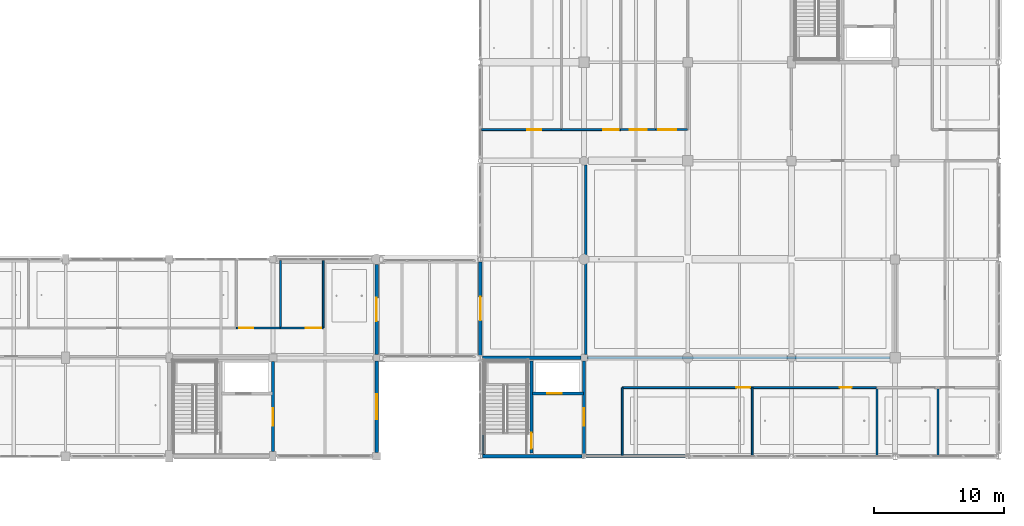
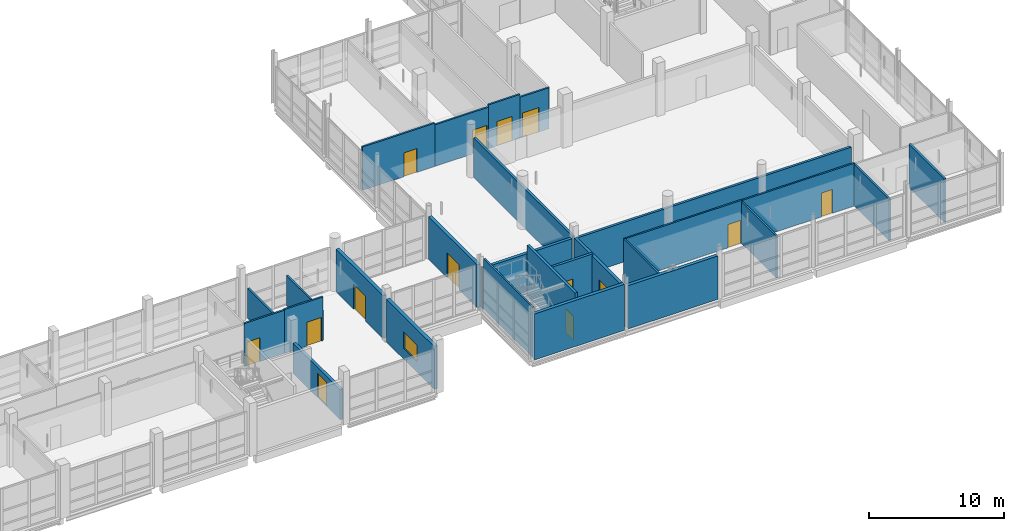
# One storey, part 94 of 141: 27 walls, 14 doors, 1 window, 15 openings.
"""IFC4 building model written with IfcOpenShell, lengths in metres."""

from ifc_helpers import new_model, si_unit, direction, frame, frame_2d, origin, place, context, subcontext, project, spatial, rectangle, extrude, material, layer, layer_set, type_object, element, fill, save


model = new_model("IFC4")

# Units and contexts
model_context = context("Model", 3, precision=1e-05, world=origin(), true_north=direction((0.0, 1.0)))
body_context = subcontext(model_context, "Body", "Model", "MODEL_VIEW")
ifc_project = project(units=[si_unit("LENGTHUNIT", "METRE"), si_unit("AREAUNIT", "SQUARE_METRE"), si_unit("VOLUMEUNIT", "CUBIC_METRE"), si_unit("PLANEANGLEUNIT", "RADIAN"), si_unit("MASSUNIT", "GRAM", prefix="KILO")], contexts=[model_context])

# Site, building, storey
site_placement = place(None, origin())
site = spatial("IfcSite", under=ifc_project, at=site_placement, CompositionType="ELEMENT")
building_placement = place(site_placement, origin())
building = spatial("IfcBuilding", under=site, at=building_placement, Name="Khelvaren Railside Concert Hall", CompositionType="ELEMENT")
storey_placement = place(building_placement, frame((0.0, 0.0, 10.199951171875)))
storey = spatial("IfcBuildingStorey", under=building, at=storey_placement, Name="L02", CompositionType="ELEMENT", Elevation=10.199951171875)

# Walls
ifc_material_1 = material(Name="Concrete C40/50", Category="concrete")
ifc_layer_1 = layer(ifc_material_1, 0.139892578125)
ifc_layer_set_1 = layer_set([ifc_layer_1], Name="Concrete C40/50")
wall_type_1 = type_object("IfcWallType", Name="CW17", PredefinedType="SOLIDWALL", material=ifc_layer_set_1)
wall_1_placement = place(storey_placement, frame((144.27490234375, 0.14990234375, 0.0), z_axis=(0.0, 0.0, 1.0), x_axis=(0.0, 1.0, 0.0)))
element("IfcWall", 1, at=wall_1_placement, inside=storey, type_object=wall_type_1, Name="Core Shaft Structural Liner Wall ST-03-L02", PredefinedType="SOLIDWALL", context=body_context, shape_type="SweptSolid", body=[
    extrude(rectangle(XDim=7.300048828125, YDim=0.139892578125, at=frame_2d((3.64990234375, 0.0))), origin(), (0.0, 0.0, 1.0), 4.52001953125),
])
ifc_layer_2 = layer(ifc_material_1, 0.25)
ifc_layer_set_2 = layer_set([ifc_layer_2], Name="Concrete C40/50")
wall_type_2 = type_object("IfcWallType", Name="CW82", PredefinedType="SOLIDWALL", material=ifc_layer_set_2)
wall_2_placement = place(storey_placement, frame((144.14990234375, 7.60009765625, 0.0), z_axis=(0.0, 0.0, 1.0), x_axis=(1.0, 0.0, 0.0)))
element("IfcWall", 2, at=wall_2_placement, inside=storey, type_object=wall_type_2, Name="Core Enclosure Wall CWALL-ST-03-L02-N", PredefinedType="SOLIDWALL", context=body_context, shape_type="SweptSolid", body=[
    extrude(rectangle(XDim=7.60009765625, YDim=0.25, at=frame_2d((3.800048828125, 0.0))), origin(), (0.0, 0.0, 1.0), 3.655029296875),
])

# Wall, opening, door
wall_3_placement = place(storey_placement, frame((152.0, 0.195068359375, 0.0), z_axis=(0.0, 0.0, 1.0), x_axis=(0.0, 1.0, 0.0)))
wall_3 = element("IfcWall", 3, at=wall_3_placement, inside=storey, type_object=wall_type_2, Name="Core Enclosure Wall CWALL-ST-03-L02-E", PredefinedType="SOLIDWALL", context=body_context, shape_type="SweptSolid", body=[
    extrude(rectangle(XDim=7.155029296875, YDim=0.25, at=frame_2d((3.57763671875, 0.0))), origin(), (0.0, 0.0, 1.0), 3.7451171875),
])
opening_1_placement = place(wall_3_placement, frame((2.155029296875, 0.0, 0.0)))
opening_1 = element("IfcOpeningElement", 4, at=opening_1_placement, cuts=wall_3, Name="Opening FDR34", PredefinedType="OPENING", context=body_context, shape_type="SweptSolid", body=[
    extrude(rectangle(XDim=1.35009765625, YDim=2.199951171875, at=frame_2d((0.675048828125, 1.10009765625))), frame((0.0, 0.135009765625, 0.0), z_axis=(0.0, -1.0, 0.0), x_axis=(1.0, 0.0, 0.0)), (0.0, 0.0, 1.0), 0.27001953125),
])
ifc_material_2 = material(Name="Acoustic fire-rated timber-core steel frame door", Category="steel")
door_type_1 = type_object("IfcDoorType", Name="FDR34", OperationType="NOTDEFINED", PredefinedType="DOOR", material=ifc_material_2)
door_1_placement = place(opening_1_placement, origin())
door_1 = element("IfcDoor", 5, at=door_1_placement, inside=storey, type_object=door_type_1, Name="Interior Door DR-ST-03-L02-LOB", OperationType="SINGLE_SWING_LEFT", OverallHeight=2.199951171875, OverallWidth=1.35009765625, PredefinedType="DOOR", context=body_context, shape_type="SweptSolid", body=[
    extrude(rectangle(XDim=1.35009765625, YDim=2.199951171875, at=frame_2d((0.675048828125, 1.10009765625))), frame((0.0, 0.02490234375, 0.0), z_axis=(0.0, -1.0, 0.0), x_axis=(1.0, 0.0, 0.0)), (0.0, 0.0, 1.0), 0.050048828125),
])
fill(opening_1, door_1)

wall_4_placement = place(storey_placement, frame((128.0, 0.375, 0.0), z_axis=(0.0, 0.0, 1.0), x_axis=(0.0, 1.0, 0.0)))
wall_4 = element("IfcWall", 6, at=wall_4_placement, inside=storey, type_object=wall_type_2, Name="Core Enclosure Wall CWALL-ST-06-L02-E", PredefinedType="SOLIDWALL", context=body_context, shape_type="SweptSolid", body=[
    extrude(rectangle(XDim=6.925048828125, YDim=0.25, at=frame_2d((3.46240234375, 0.0))), origin(), (0.0, 0.0, 1.0), 2.7099609375),
])
opening_2_placement = place(wall_4_placement, frame((1.97509765625, 0.0, 0.0)))
opening_2 = element("IfcOpeningElement", 7, at=opening_2_placement, cuts=wall_4, Name="Opening FDR34", PredefinedType="OPENING", context=body_context, shape_type="SweptSolid", body=[
    extrude(rectangle(XDim=1.35009765625, YDim=2.199951171875, at=frame_2d((0.675048828125, 1.10009765625))), frame((0.0, 0.135009765625, 0.0), z_axis=(0.0, -1.0, 0.0), x_axis=(1.0, 0.0, 0.0)), (0.0, 0.0, 1.0), 0.27001953125),
])
door_2_placement = place(opening_2_placement, origin())
door_2 = element("IfcDoor", 8, at=door_2_placement, inside=storey, type_object=door_type_1, Name="Interior Door DR-ST-06-L02-LOB", OperationType="SINGLE_SWING_LEFT", OverallHeight=2.199951171875, OverallWidth=1.35009765625, PredefinedType="DOOR", context=body_context, shape_type="SweptSolid", body=[
    extrude(rectangle(XDim=1.35009765625, YDim=2.199951171875, at=frame_2d((0.675048828125, 1.10009765625))), frame((0.0, 0.02490234375, 0.0), z_axis=(0.0, -1.0, 0.0), x_axis=(1.0, 0.0, 0.0)), (0.0, 0.0, 1.0), 0.050048828125),
])
fill(opening_2, door_2)

ifc_layer_3 = layer(ifc_material_1, 0.219970703125)
ifc_layer_set_3 = layer_set([ifc_layer_3], Name="Concrete C40/50")
wall_type_3 = type_object("IfcWallType", Name="CW97", PredefinedType="SOLIDWALL", material=ifc_layer_set_3)
wall_5_placement = place(storey_placement, frame((147.949951171875, 0.25, 0.0), z_axis=(0.0, 0.0, 1.0), x_axis=(0.0, 1.0, 0.0)))
wall_5 = element("IfcWall", 9, at=wall_5_placement, inside=storey, type_object=wall_type_3, Name="Core Enclosure Wall CWALL-ST-03-L02-MID", PredefinedType="SOLIDWALL", context=body_context, shape_type="SweptSolid", body=[
    extrude(rectangle(XDim=7.10009765625, YDim=0.219970703125, at=frame_2d((3.550048828125, 0.0))), origin(), (0.0, 0.0, 1.0), 4.52001953125),
])
opening_3_placement = place(wall_5_placement, frame((0.35009765625, 0.0, 0.0)))
opening_3 = element("IfcOpeningElement", 10, at=opening_3_placement, cuts=wall_5, Name="Opening FDR17", PredefinedType="OPENING", context=body_context, shape_type="SweptSolid", body=[
    extrude(rectangle(XDim=1.199951171875, YDim=2.14990234375, at=frame_2d((0.60009765625, 1.074951171875))), frame((0.0, 0.119873046875, 0.0), z_axis=(0.0, -1.0, 0.0), x_axis=(1.0, 0.0, 0.0)), (0.0, 0.0, 1.0), 0.239990234375),
])
door_type_2 = type_object("IfcDoorType", Name="FDR17", OperationType="NOTDEFINED", PredefinedType="DOOR", material=ifc_material_2)
door_3_placement = place(opening_3_placement, origin())
door_3 = element("IfcDoor", 11, at=door_3_placement, inside=storey, type_object=door_type_2, Name="Interior Door DR-ST-03-L02-ST", OperationType="SINGLE_SWING_RIGHT", OverallHeight=2.14990234375, OverallWidth=1.199951171875, PredefinedType="DOOR", context=body_context, shape_type="SweptSolid", body=[
    extrude(rectangle(XDim=1.199951171875, YDim=2.14990234375, at=frame_2d((0.60009765625, 1.074951171875))), frame((0.0, 0.02490234375, 0.0), z_axis=(0.0, -1.0, 0.0), x_axis=(1.0, 0.0, 0.0)), (0.0, 0.0, 1.0), 0.050048828125),
])
fill(opening_3, door_3)

wall_6_placement = place(storey_placement, frame((148.02001953125, 4.85009765625, 0.0), z_axis=(0.0, 0.0, 1.0), x_axis=(1.0, 0.0, 0.0)))
wall_6 = element("IfcWall", 12, at=wall_6_placement, inside=storey, type_object=wall_type_3, Name="Core Enclosure Wall CWALL-ST-03-L02-SHF", PredefinedType="SOLIDWALL", context=body_context, shape_type="SweptSolid", body=[
    extrude(rectangle(XDim=3.929931640625, YDim=0.219970703125, at=frame_2d((1.96484375, 0.0))), origin(), (0.0, 0.0, 1.0), 3.89501953125),
])
opening_4_placement = place(wall_6_placement, frame((1.14990234375, 0.0, 0.0)))
opening_4 = element("IfcOpeningElement", 13, at=opening_4_placement, cuts=wall_6, Name="Opening LD-PL-02", PredefinedType="OPENING", context=body_context, shape_type="SweptSolid", body=[
    extrude(rectangle(XDim=1.10009765625, YDim=2.199951171875, at=frame_2d((0.550048828125, 1.10009765625))), frame((0.0, 0.119873046875, 0.0), z_axis=(0.0, -1.0, 0.0), x_axis=(1.0, 0.0, 0.0)), (0.0, 0.0, 1.0), 0.239990234375),
])
ifc_material_3 = material(Name="Fire-rated brushed stainless steel landing door", Category="steel")
door_type_3 = type_object("IfcDoorType", Name="LD96", OperationType="DOUBLE_DOOR_SLIDING", PredefinedType="DOOR", material=ifc_material_3)
door_4_placement = place(opening_4_placement, origin())
door_4 = element("IfcDoor", 14, at=door_4_placement, inside=storey, type_object=door_type_3, Name="Lift Landing Door LD-PL-02-L02", OperationType="DOUBLE_DOOR_SLIDING", OverallHeight=2.199951171875, OverallWidth=1.10009765625, PredefinedType="DOOR", context=body_context, shape_type="SweptSolid", body=[
    extrude(rectangle(XDim=1.10009765625, YDim=2.199951171875, at=frame_2d((0.550048828125, 1.10009765625))), frame((0.0, 0.02490234375, 0.0), z_axis=(0.0, -1.0, 0.0), x_axis=(1.0, 0.0, 0.0)), (0.0, 0.0, 1.0), 0.050048828125),
])
fill(opening_4, door_4)

# Walls
ifc_material_4 = material(Name="Board-marked architectural concrete C40/50", Category="concrete")
ifc_layer_4 = layer(ifc_material_4, 0.280029296875)
ifc_layer_set_4 = layer_set([ifc_layer_4], Name="Board-marked architectural concrete C40/50")
wall_type_4 = type_object("IfcWallType", Name="EW17", PredefinedType="SOLIDWALL", material=ifc_layer_set_4)
wall_7_placement = place(storey_placement, frame((151.85009765625, 0.0, 0.0), z_axis=(0.0, 0.0, 1.0), x_axis=(-1.0, 0.0, 0.0)))
element("IfcWall", 15, at=wall_7_placement, inside=storey, type_object=wall_type_4, Name="V2 L02 Exterior Concrete Wall S-144", PredefinedType="SOLIDWALL", context=body_context, shape_type="SweptSolid", body=[
    extrude(rectangle(XDim=7.7001953125, YDim=0.280029296875, at=frame_2d((3.85009765625, 0.0))), origin(), (0.0, 0.0, 1.0), 4.150146484375),
])
wall_8_placement = place(storey_placement, frame((159.796875, 0.0, 0.0), z_axis=(0.0, 0.0, 1.0), x_axis=(-1.0, 0.0, 0.0)))
element("IfcWall", 16, at=wall_8_placement, inside=storey, type_object=wall_type_4, Name="V2 L02 Exterior Concrete Wall S-152", PredefinedType="SOLIDWALL", context=body_context, shape_type="SweptSolid", body=[
    extrude(rectangle(XDim=7.64697265625, YDim=0.280029296875, at=frame_2d((3.823486328125, 0.0))), origin(), (0.0, 0.0, 1.0), 3.91015625),
])

# Wall, opening, door
wall_9_placement = place(storey_placement, frame((144.0, 7.794921875, 0.0), z_axis=(0.0, 0.0, 1.0), x_axis=(0.0, 1.0, 0.0)))
wall_9 = element("IfcWall", 17, at=wall_9_placement, inside=storey, type_object=wall_type_4, Name="V2 L02 Bridge Portal Wall W", PredefinedType="SOLIDWALL", context=body_context, shape_type="SweptSolid", body=[
    extrude(rectangle(XDim=7.201904296875, YDim=0.280029296875, at=frame_2d((3.60107421875, 0.0))), origin(), (0.0, 0.0, 1.0), 3.860107421875),
])
opening_5_placement = place(wall_9_placement, frame((2.700927734375, 0.0, 0.0)))
opening_5 = element("IfcOpeningElement", 18, at=opening_5_placement, cuts=wall_9, Name="Opening DR64", PredefinedType="OPENING", context=body_context, shape_type="SweptSolid", body=[
    extrude(rectangle(XDim=1.800048828125, YDim=2.25, at=frame_2d((0.89990234375, 1.125))), frame((0.0, 0.14990234375, 0.0), z_axis=(0.0, -1.0, 0.0), x_axis=(1.0, 0.0, 0.0)), (0.0, 0.0, 1.0), 0.300048828125),
])
ifc_material_5 = material(Name="Glazed fire-rated steel frame door", Category="steel")
door_type_4 = type_object("IfcDoorType", Name="DR64", OperationType="DOUBLE_DOOR_SINGLE_SWING", PredefinedType="DOOR", material=ifc_material_5)
door_5_placement = place(opening_5_placement, origin())
door_5 = element("IfcDoor", 19, at=door_5_placement, inside=storey, type_object=door_type_4, Name="V2 L02 Link Bridge Portal Door", OperationType="DOUBLE_DOOR_SINGLE_SWING", OverallHeight=2.25, OverallWidth=1.800048828125, PredefinedType="DOOR", context=body_context, shape_type="SweptSolid", body=[
    extrude(rectangle(XDim=1.800048828125, YDim=2.25, at=frame_2d((0.89990234375, 1.125))), frame((0.0, 0.02490234375, 0.0), z_axis=(0.0, -1.0, 0.0), x_axis=(1.0, 0.0, 0.0)), (0.0, 0.0, 1.0), 0.050048828125),
])
fill(opening_5, door_5)

# Wall, opening, window
ifc_layer_5 = layer(ifc_material_4, 0.2900390625)
ifc_layer_set_5 = layer_set([ifc_layer_5], Name="Board-marked architectural concrete C40/50")
wall_type_5 = type_object("IfcWallType", Name="EW77", PredefinedType="SOLIDWALL", material=ifc_layer_set_5)
wall_10_placement = place(storey_placement, frame((136.0, 7.35009765625, 0.0), z_axis=(0.0, 0.0, 1.0), x_axis=(0.0, -1.0, 0.0)))
wall_10 = element("IfcWall", 20, at=wall_10_placement, inside=storey, type_object=wall_type_5, Name="V3 L02 Exterior Concrete Wall E-0", PredefinedType="SOLIDWALL", context=body_context, shape_type="SweptSolid", body=[
    extrude(rectangle(XDim=7.050048828125, YDim=0.2900390625, at=frame_2d((3.52490234375, 0.0))), origin(), (0.0, 0.0, 1.0), 3.860107421875),
])
opening_6_placement = place(wall_10_placement, frame((2.550048828125, 0.0, 0.949951171875)))
opening_6 = element("IfcOpeningElement", 21, at=opening_6_placement, cuts=wall_10, Name="Opening WN74", PredefinedType="OPENING", context=body_context, shape_type="SweptSolid", body=[
    extrude(rectangle(XDim=1.949951171875, YDim=1.5, at=frame_2d((0.97509765625, 0.75))), frame((0.0, 0.155029296875, 0.0), z_axis=(0.0, -1.0, 0.0), x_axis=(1.0, 0.0, 0.0)), (0.0, 0.0, 1.0), 0.31005859375),
])
ifc_material_6 = material(Name="Triple-glazed acoustic aluminium window", Category="aluminium")
window_type = type_object("IfcWindowType", Name="WN74", PartitioningType="DOUBLE_PANEL_VERTICAL", PredefinedType="WINDOW", material=ifc_material_6)
window_placement = place(opening_6_placement, origin())
window = element("IfcWindow", 22, at=window_placement, inside=storey, type_object=window_type, Name="Acoustic Facade Window EW-V3-L02-E-0", OverallHeight=1.5, OverallWidth=1.949951171875, PartitioningType="DOUBLE_PANEL_VERTICAL", PredefinedType="WINDOW", context=body_context, shape_type="SweptSolid", body=[
    extrude(rectangle(XDim=1.949951171875, YDim=1.5, at=frame_2d((0.97509765625, 0.75))), frame((0.0, 0.030029296875, 0.0), z_axis=(0.0, -1.0, 0.0), x_axis=(1.0, 0.0, 0.0)), (0.0, 0.0, 1.0), 0.06005859375),
])
fill(opening_6, window)

# Wall, opening, door
wall_11_placement = place(storey_placement, frame((136.0, 14.800048828125, 0.0), z_axis=(0.0, 0.0, 1.0), x_axis=(0.0, -1.0, 0.0)))
wall_11 = element("IfcWall", 23, at=wall_11_placement, inside=storey, type_object=wall_type_5, Name="V3 L02 Bridge Portal Wall E", PredefinedType="SOLIDWALL", context=body_context, shape_type="SweptSolid", body=[
    extrude(rectangle(XDim=6.949951171875, YDim=0.2900390625, at=frame_2d((3.47509765625, 0.0))), origin(), (0.0, 0.0, 1.0), 3.860107421875),
])
opening_7_placement = place(wall_11_placement, frame((2.574951171875, 0.0, 0.0)))
opening_7 = element("IfcOpeningElement", 24, at=opening_7_placement, cuts=wall_11, Name="Opening DR64", PredefinedType="OPENING", context=body_context, shape_type="SweptSolid", body=[
    extrude(rectangle(XDim=1.800048828125, YDim=2.25, at=frame_2d((0.89990234375, 1.125))), frame((0.0, 0.155029296875, 0.0), z_axis=(0.0, -1.0, 0.0), x_axis=(1.0, 0.0, 0.0)), (0.0, 0.0, 1.0), 0.31005859375),
])
door_6_placement = place(opening_7_placement, origin())
door_6 = element("IfcDoor", 25, at=door_6_placement, inside=storey, type_object=door_type_4, Name="V3 L02 Link Bridge Portal Door", OperationType="DOUBLE_DOOR_SINGLE_SWING", OverallHeight=2.25, OverallWidth=1.800048828125, PredefinedType="DOOR", context=body_context, shape_type="SweptSolid", body=[
    extrude(rectangle(XDim=1.800048828125, YDim=2.25, at=frame_2d((0.89990234375, 1.125))), frame((0.0, 0.02490234375, 0.0), z_axis=(0.0, -1.0, 0.0), x_axis=(1.0, 0.0, 0.0)), (0.0, 0.0, 1.0), 0.050048828125),
])
fill(opening_7, door_6)

# Walls
ifc_material_7 = material(Name="Acoustic double-stud gypsum partition", Category="gypsum")
ifc_layer_6 = layer(ifc_material_7, 0.199951171875)
ifc_layer_set_6 = layer_set([ifc_layer_6], Name="Acoustic double-stud gypsum partition")
wall_type_6 = type_object("IfcWallType", Name="PT35", PredefinedType="PARTITIONING", material=ifc_layer_set_6)
wall_12_placement = place(storey_placement, frame((152.1201171875, 7.85009765625, 0.0), z_axis=(0.0, 0.0, 1.0), x_axis=(0.0, 1.0, 0.0)))
element("IfcWall", 26, at=wall_12_placement, inside=storey, type_object=wall_type_6, Name="Acoustic Partition Wall PW-V2-L02-ORCH-W", PredefinedType="PARTITIONING", context=body_context, shape_type="SweptSolid", body=[
    extrude(rectangle(XDim=14.625, YDim=0.199951171875, at=frame_2d((7.3125, 0.0))), origin(), (0.0, 0.0, 1.0), 3.56005859375),
])
wall_13_placement = place(storey_placement, frame((152.25, 7.60009765625, 0.0), z_axis=(0.0, 0.0, 1.0), x_axis=(1.0, 0.0, 0.0)))
element("IfcWall", 27, at=wall_13_placement, inside=storey, type_object=wall_type_6, Name="Acoustic Partition Wall PW-V2-L02-ORCH-S", PredefinedType="PARTITIONING", context=body_context, shape_type="SweptSolid", body=[
    extrude(rectangle(XDim=23.35009765625, YDim=0.199951171875, at=frame_2d((11.675048828125, 0.0))), origin(), (0.0, 0.0, 1.0), 3.56005859375),
])
ifc_layer_7 = layer(ifc_material_7, 0.139892578125)
ifc_layer_set_7 = layer_set([ifc_layer_7], Name="Acoustic double-stud gypsum partition")
wall_type_7 = type_object("IfcWallType", Name="PT41", PredefinedType="PARTITIONING", material=ifc_layer_set_7)
wall_14_placement = place(storey_placement, frame((164.97412109375, 0.080078125, 0.0), z_axis=(0.0, 0.0, 1.0), x_axis=(0.0, 1.0, 0.0)))
element("IfcWall", 28, at=wall_14_placement, inside=storey, type_object=wall_type_7, Name="Acoustic Partition Wall PW-V2-L02-S-D01", PredefinedType="PARTITIONING", context=body_context, shape_type="SweptSolid", body=[
    extrude(rectangle(XDim=5.219970703125, YDim=0.139892578125, at=frame_2d((2.60986328125, 0.0))), origin(), (0.0, 0.0, 1.0), 3.77001953125),
])
ifc_layer_8 = layer(ifc_material_7, 0.179931640625)
ifc_layer_set_8 = layer_set([ifc_layer_8], Name="Acoustic double-stud gypsum partition")
wall_type_8 = type_object("IfcWallType", Name="PT53", PredefinedType="PARTITIONING", material=ifc_layer_set_8)
wall_15_placement = place(storey_placement, frame((179.30810546875, 0.080078125, 0.0), z_axis=(0.0, 0.0, 1.0), x_axis=(0.0, 1.0, 0.0)))
element("IfcWall", 29, at=wall_15_placement, inside=storey, type_object=wall_type_8, Name="Acoustic Partition Wall PW-V2-L02-S-D03", PredefinedType="PARTITIONING", context=body_context, shape_type="SweptSolid", body=[
    extrude(rectangle(XDim=5.219970703125, YDim=0.179931640625, at=frame_2d((2.60986328125, 0.0))), origin(), (0.0, 0.0, 1.0), 3.9150390625),
])

# Wall, opening, door
ifc_layer_9 = layer(ifc_material_7, 0.139892578125)
ifc_layer_set_9 = layer_set([ifc_layer_9], Name="Acoustic double-stud gypsum partition")
wall_type_9 = type_object("IfcWallType", Name="PT55", PredefinedType="PARTITIONING", material=ifc_layer_set_9)
wall_16_placement = place(storey_placement, frame((154.949951171875, 5.300048828125, 0.0), z_axis=(0.0, 0.0, 1.0), x_axis=(1.0, 0.0, 0.0)))
wall_16 = element("IfcWall", 30, at=wall_16_placement, inside=storey, type_object=wall_type_9, Name="Acoustic Partition Wall PW-V2-L02-S-C01", PredefinedType="PARTITIONING", context=body_context, shape_type="SweptSolid", body=[
    extrude(rectangle(XDim=10.024169921875, YDim=0.139892578125, at=frame_2d((5.01220703125, 0.0))), origin(), (0.0, 0.0, 1.0), 3.875),
])
opening_8_placement = place(wall_16_placement, frame((8.803955078125, 0.0, 0.0)))
opening_8 = element("IfcOpeningElement", 31, at=opening_8_placement, cuts=wall_16, Name="Opening IDR70", PredefinedType="OPENING", context=body_context, shape_type="SweptSolid", body=[
    extrude(rectangle(XDim=1.080078125, YDim=2.10009765625, at=frame_2d((0.5400390625, 1.050048828125))), frame((0.0, 0.079833984375, 0.0), z_axis=(0.0, -1.0, 0.0), x_axis=(1.0, 0.0, 0.0)), (0.0, 0.0, 1.0), 0.159912109375),
])
ifc_material_8 = material(Name="Solid oak acoustic studio door", Category="wood")
door_type_5 = type_object("IfcDoorType", Name="IDR70", OperationType="NOTDEFINED", PredefinedType="DOOR", material=ifc_material_8)
door_7_placement = place(opening_8_placement, origin())
door_7 = element("IfcDoor", 32, at=door_7_placement, inside=storey, type_object=door_type_5, Name="Interior Door DR-V2-L02-S-01", OperationType="SINGLE_SWING_LEFT", OverallHeight=2.10009765625, OverallWidth=1.080078125, PredefinedType="DOOR", context=body_context, shape_type="SweptSolid", body=[
    extrude(rectangle(XDim=1.080078125, YDim=2.10009765625, at=frame_2d((0.5400390625, 1.050048828125))), frame((0.0, 0.02490234375, 0.0), z_axis=(0.0, -1.0, 0.0), x_axis=(1.0, 0.0, 0.0)), (0.0, 0.0, 1.0), 0.050048828125),
])
fill(opening_8, door_7)

wall_17_placement = place(storey_placement, frame((164.97412109375, 5.300048828125, 0.0), z_axis=(0.0, 0.0, 1.0), x_axis=(1.0, 0.0, 0.0)))
wall_17 = element("IfcWall", 33, at=wall_17_placement, inside=storey, type_object=wall_type_9, Name="Acoustic Partition Wall PW-V2-L02-S-C02", PredefinedType="PARTITIONING", context=body_context, shape_type="SweptSolid", body=[
    extrude(rectangle(XDim=9.622802734375, YDim=0.139892578125, at=frame_2d((4.8115234375, 0.0))), origin(), (0.0, 0.0, 1.0), 3.85009765625),
])
opening_9_placement = place(wall_17_placement, frame((6.766357421875, 0.0, 0.0)))
opening_9 = element("IfcOpeningElement", 34, at=opening_9_placement, cuts=wall_17, Name="Opening IDR15", PredefinedType="OPENING", context=body_context, shape_type="SweptSolid", body=[
    extrude(rectangle(XDim=0.919921875, YDim=2.14990234375, at=frame_2d((0.4599609375, 1.074951171875))), frame((0.0, 0.079833984375, 0.0), z_axis=(0.0, -1.0, 0.0), x_axis=(1.0, 0.0, 0.0)), (0.0, 0.0, 1.0), 0.159912109375),
])
door_type_6 = type_object("IfcDoorType", Name="IDR15", OperationType="NOTDEFINED", PredefinedType="DOOR", material=ifc_material_8)
door_8_placement = place(opening_9_placement, origin())
door_8 = element("IfcDoor", 35, at=door_8_placement, inside=storey, type_object=door_type_6, Name="Interior Door DR-V2-L02-S-02", OperationType="SINGLE_SWING_RIGHT", OverallHeight=2.14990234375, OverallWidth=0.919921875, PredefinedType="DOOR", context=body_context, shape_type="SweptSolid", body=[
    extrude(rectangle(XDim=0.919921875, YDim=2.14990234375, at=frame_2d((0.4599609375, 1.074951171875))), frame((0.0, 0.02490234375, 0.0), z_axis=(0.0, -1.0, 0.0), x_axis=(1.0, 0.0, 0.0)), (0.0, 0.0, 1.0), 0.050048828125),
])
fill(opening_9, door_8)

# Wall
wall_18_placement = place(storey_placement, frame((154.949951171875, 0.080078125, 0.0), z_axis=(0.0, 0.0, 1.0), x_axis=(0.0, 1.0, 0.0)))
element("IfcWall", 36, at=wall_18_placement, inside=storey, type_object=wall_type_9, Name="Acoustic Partition Wall PW-V2-L02-S-W0", PredefinedType="PARTITIONING", context=body_context, shape_type="SweptSolid", body=[
    extrude(rectangle(XDim=5.219970703125, YDim=0.139892578125, at=frame_2d((2.60986328125, 0.0))), origin(), (0.0, 0.0, 1.0), 3.89013671875),
])

# Wall, opening, door
ifc_layer_10 = layer(ifc_material_7, 0.14990234375)
ifc_layer_set_10 = layer_set([ifc_layer_10], Name="Acoustic double-stud gypsum partition")
wall_type_10 = type_object("IfcWallType", Name="PT72", PredefinedType="PARTITIONING", material=ifc_layer_set_10)
wall_19_placement = place(storey_placement, frame((144.080078125, 25.199951171875, 0.0), z_axis=(0.0, 0.0, 1.0), x_axis=(1.0, 0.0, 0.0)))
wall_19 = element("IfcWall", 37, at=wall_19_placement, inside=storey, type_object=wall_type_10, Name="Acoustic Partition Wall PW-V2-L02-N-C01", PredefinedType="PARTITIONING", context=body_context, shape_type="SweptSolid", body=[
    extrude(rectangle(XDim=6.1689453125, YDim=0.14990234375, at=frame_2d((3.08447265625, 0.0))), origin(), (0.0, 0.0, 1.0), 3.905029296875),
])
opening_10_placement = place(wall_19_placement, frame((3.5302734375, 0.0, 0.0)))
opening_10 = element("IfcOpeningElement", 38, at=opening_10_placement, cuts=wall_19, Name="Opening IDR45", PredefinedType="OPENING", context=body_context, shape_type="SweptSolid", body=[
    extrude(rectangle(XDim=1.10009765625, YDim=2.14990234375, at=frame_2d((0.550048828125, 1.074951171875))), frame((0.0, 0.0849609375, 0.0), z_axis=(0.0, -1.0, 0.0), x_axis=(1.0, 0.0, 0.0)), (0.0, 0.0, 1.0), 0.169921875),
])
door_type_7 = type_object("IfcDoorType", Name="IDR45", OperationType="NOTDEFINED", PredefinedType="DOOR", material=ifc_material_8)
door_9_placement = place(opening_10_placement, origin())
door_9 = element("IfcDoor", 39, at=door_9_placement, inside=storey, type_object=door_type_7, Name="Interior Door DR-V2-L02-N-01", OperationType="SINGLE_SWING_LEFT", OverallHeight=2.14990234375, OverallWidth=1.10009765625, PredefinedType="DOOR", context=body_context, shape_type="SweptSolid", body=[
    extrude(rectangle(XDim=1.10009765625, YDim=2.14990234375, at=frame_2d((0.550048828125, 1.074951171875))), frame((0.0, 0.02490234375, 0.0), z_axis=(0.0, -1.0, 0.0), x_axis=(1.0, 0.0, 0.0)), (0.0, 0.0, 1.0), 0.050048828125),
])
fill(opening_10, door_9)

wall_20_placement = place(storey_placement, frame((150.2490234375, 25.199951171875, 0.0), z_axis=(0.0, 0.0, 1.0), x_axis=(1.0, 0.0, 0.0)))
wall_20 = element("IfcWall", 40, at=wall_20_placement, inside=storey, type_object=wall_type_10, Name="Acoustic Partition Wall PW-V2-L02-N-C02", PredefinedType="PARTITIONING", context=body_context, shape_type="SweptSolid", body=[
    extrude(rectangle(XDim=4.576904296875, YDim=0.14990234375, at=frame_2d((2.28857421875, 0.0))), origin(), (0.0, 0.0, 1.0), 3.7451171875),
])
opening_11_placement = place(wall_20_placement, frame((3.217041015625, 0.0, 0.0)))
opening_11 = element("IfcOpeningElement", 41, at=opening_11_placement, cuts=wall_20, Name="Opening IDR44", PredefinedType="OPENING", context=body_context, shape_type="SweptSolid", body=[
    extrude(rectangle(XDim=1.219970703125, YDim=2.14990234375, at=frame_2d((0.60986328125, 1.074951171875))), frame((0.0, 0.0849609375, 0.0), z_axis=(0.0, -1.0, 0.0), x_axis=(1.0, 0.0, 0.0)), (0.0, 0.0, 1.0), 0.169921875),
])
door_type_8 = type_object("IfcDoorType", Name="IDR44", OperationType="NOTDEFINED", PredefinedType="DOOR", material=ifc_material_8)
door_10_placement = place(opening_11_placement, origin())
door_10 = element("IfcDoor", 42, at=door_10_placement, inside=storey, type_object=door_type_8, Name="Interior Door DR-V2-L02-N-02", OperationType="SINGLE_SWING_RIGHT", OverallHeight=2.14990234375, OverallWidth=1.219970703125, PredefinedType="DOOR", context=body_context, shape_type="SweptSolid", body=[
    extrude(rectangle(XDim=1.219970703125, YDim=2.14990234375, at=frame_2d((0.60986328125, 1.074951171875))), frame((0.0, 0.02490234375, 0.0), z_axis=(0.0, -1.0, 0.0), x_axis=(1.0, 0.0, 0.0)), (0.0, 0.0, 1.0), 0.050048828125),
])
fill(opening_11, door_10)

wall_21_placement = place(storey_placement, frame((154.825927734375, 25.199951171875, 0.0), z_axis=(0.0, 0.0, 1.0), x_axis=(1.0, 0.0, 0.0)))
wall_21 = element("IfcWall", 43, at=wall_21_placement, inside=storey, type_object=wall_type_10, Name="Acoustic Partition Wall PW-V2-L02-N-C03", PredefinedType="PARTITIONING", context=body_context, shape_type="SweptSolid", body=[
    extrude(rectangle(XDim=2.68603515625, YDim=0.14990234375, at=frame_2d((1.343017578125, 0.0))), origin(), (0.0, 0.0, 1.0), 3.955078125),
])
opening_12_placement = place(wall_21_placement, frame((0.718505859375, 0.0, 0.0)))
opening_12 = element("IfcOpeningElement", 44, at=opening_12_placement, cuts=wall_21, Name="Opening IDR18", PredefinedType="OPENING", context=body_context, shape_type="SweptSolid", body=[
    extrude(rectangle(XDim=1.300048828125, YDim=2.199951171875, at=frame_2d((0.64990234375, 1.10009765625))), frame((0.0, 0.0849609375, 0.0), z_axis=(0.0, -1.0, 0.0), x_axis=(1.0, 0.0, 0.0)), (0.0, 0.0, 1.0), 0.169921875),
])
door_type_9 = type_object("IfcDoorType", Name="IDR18", OperationType="NOTDEFINED", PredefinedType="DOOR", material=ifc_material_8)
door_11_placement = place(opening_12_placement, origin())
door_11 = element("IfcDoor", 45, at=door_11_placement, inside=storey, type_object=door_type_9, Name="Interior Door DR-V2-L02-N-03", OperationType="SINGLE_SWING_LEFT", OverallHeight=2.199951171875, OverallWidth=1.300048828125, PredefinedType="DOOR", context=body_context, shape_type="SweptSolid", body=[
    extrude(rectangle(XDim=1.300048828125, YDim=2.199951171875, at=frame_2d((0.64990234375, 1.10009765625))), frame((0.0, 0.02490234375, 0.0), z_axis=(0.0, -1.0, 0.0), x_axis=(1.0, 0.0, 0.0)), (0.0, 0.0, 1.0), 0.050048828125),
])
fill(opening_12, door_11)

wall_22_placement = place(storey_placement, frame((157.511962890625, 25.199951171875, 0.0), z_axis=(0.0, 0.0, 1.0), x_axis=(1.0, 0.0, 0.0)))
wall_22 = element("IfcWall", 46, at=wall_22_placement, inside=storey, type_object=wall_type_10, Name="Acoustic Partition Wall PW-V2-L02-N-C04", PredefinedType="PARTITIONING", context=body_context, shape_type="SweptSolid", body=[
    extrude(rectangle(XDim=2.488037109375, YDim=0.14990234375, at=frame_2d((1.244140625, 0.0))), origin(), (0.0, 0.0, 1.0), 3.695068359375),
])
opening_13_placement = place(wall_22_placement, frame((0.219970703125, 0.0, 0.0)))
opening_13 = element("IfcOpeningElement", 47, at=opening_13_placement, cuts=wall_22, Name="Opening IDR82", PredefinedType="OPENING", context=body_context, shape_type="SweptSolid", body=[
    extrude(rectangle(XDim=1.3798828125, YDim=2.199951171875, at=frame_2d((0.68994140625, 1.10009765625))), frame((0.0, 0.0849609375, 0.0), z_axis=(0.0, -1.0, 0.0), x_axis=(1.0, 0.0, 0.0)), (0.0, 0.0, 1.0), 0.169921875),
])
door_type_10 = type_object("IfcDoorType", Name="IDR82", OperationType="NOTDEFINED", PredefinedType="DOOR", material=ifc_material_8)
door_12_placement = place(opening_13_placement, origin())
door_12 = element("IfcDoor", 48, at=door_12_placement, inside=storey, type_object=door_type_10, Name="Interior Door DR-V2-L02-N-04", OperationType="SINGLE_SWING_RIGHT", OverallHeight=2.199951171875, OverallWidth=1.3798828125, PredefinedType="DOOR", context=body_context, shape_type="SweptSolid", body=[
    extrude(rectangle(XDim=1.3798828125, YDim=2.199951171875, at=frame_2d((0.68994140625, 1.10009765625))), frame((0.0, 0.02490234375, 0.0), z_axis=(0.0, -1.0, 0.0), x_axis=(1.0, 0.0, 0.0)), (0.0, 0.0, 1.0), 0.050048828125),
])
fill(opening_13, door_12)

wall_23_placement = place(storey_placement, frame((125.174072265625, 9.89990234375, 0.0), z_axis=(0.0, 0.0, 1.0), x_axis=(1.0, 0.0, 0.0)))
wall_23 = element("IfcWall", 49, at=wall_23_placement, inside=storey, type_object=wall_type_10, Name="Acoustic Partition Wall PW-V3-L02-N-C04", PredefinedType="PARTITIONING", context=body_context, shape_type="SweptSolid", body=[
    extrude(rectangle(XDim=3.40283203125, YDim=0.14990234375, at=frame_2d((1.701416015625, 0.0))), origin(), (0.0, 0.0, 1.0), 3.89501953125),
])
opening_14_placement = place(wall_23_placement, frame((0.219970703125, 0.0, 0.0)))
opening_14 = element("IfcOpeningElement", 50, at=opening_14_placement, cuts=wall_23, Name="Opening IDR45", PredefinedType="OPENING", context=body_context, shape_type="SweptSolid", body=[
    extrude(rectangle(XDim=1.10009765625, YDim=2.14990234375, at=frame_2d((0.550048828125, 1.074951171875))), frame((0.0, 0.0849609375, 0.0), z_axis=(0.0, -1.0, 0.0), x_axis=(1.0, 0.0, 0.0)), (0.0, 0.0, 1.0), 0.169921875),
])
door_13_placement = place(opening_14_placement, origin())
door_13 = element("IfcDoor", 51, at=door_13_placement, inside=storey, type_object=door_type_7, Name="Interior Door DR-V3-L02-N-04", OperationType="SINGLE_SWING_RIGHT", OverallHeight=2.14990234375, OverallWidth=1.10009765625, PredefinedType="DOOR", context=body_context, shape_type="SweptSolid", body=[
    extrude(rectangle(XDim=1.10009765625, YDim=2.14990234375, at=frame_2d((0.550048828125, 1.074951171875))), frame((0.0, 0.02490234375, 0.0), z_axis=(0.0, -1.0, 0.0), x_axis=(1.0, 0.0, 0.0)), (0.0, 0.0, 1.0), 0.050048828125),
])
fill(opening_14, door_13)

wall_24_placement = place(storey_placement, frame((128.576904296875, 9.89990234375, 0.0), z_axis=(0.0, 0.0, 1.0), x_axis=(1.0, 0.0, 0.0)))
wall_24 = element("IfcWall", 52, at=wall_24_placement, inside=storey, type_object=wall_type_10, Name="Acoustic Partition Wall PW-V3-L02-N-C05", PredefinedType="PARTITIONING", context=body_context, shape_type="SweptSolid", body=[
    extrude(rectangle(XDim=3.302978515625, YDim=0.14990234375, at=frame_2d((1.6513671875, 0.0))), origin(), (0.0, 0.0, 1.0), 3.955078125),
])
opening_15_placement = place(wall_24_placement, frame((1.943115234375, 0.0, 0.0)))
opening_15 = element("IfcOpeningElement", 53, at=opening_15_placement, cuts=wall_24, Name="Opening IDR44", PredefinedType="OPENING", context=body_context, shape_type="SweptSolid", body=[
    extrude(rectangle(XDim=1.219970703125, YDim=2.14990234375, at=frame_2d((0.60986328125, 1.074951171875))), frame((0.0, 0.0849609375, 0.0), z_axis=(0.0, -1.0, 0.0), x_axis=(1.0, 0.0, 0.0)), (0.0, 0.0, 1.0), 0.169921875),
])
door_14_placement = place(opening_15_placement, origin())
door_14 = element("IfcDoor", 54, at=door_14_placement, inside=storey, type_object=door_type_8, Name="Interior Door DR-V3-L02-N-05", OperationType="SINGLE_SWING_LEFT", OverallHeight=2.14990234375, OverallWidth=1.219970703125, PredefinedType="DOOR", context=body_context, shape_type="SweptSolid", body=[
    extrude(rectangle(XDim=1.219970703125, YDim=2.14990234375, at=frame_2d((0.60986328125, 1.074951171875))), frame((0.0, 0.02490234375, 0.0), z_axis=(0.0, -1.0, 0.0), x_axis=(1.0, 0.0, 0.0)), (0.0, 0.0, 1.0), 0.050048828125),
])
fill(opening_15, door_14)

# Walls
wall_25_placement = place(storey_placement, frame((131.8798828125, 9.89990234375, 0.0), z_axis=(0.0, 0.0, 1.0), x_axis=(0.0, 1.0, 0.0)))
element("IfcWall", 55, at=wall_25_placement, inside=storey, type_object=wall_type_10, Name="Acoustic Partition Wall PW-V3-L02-N-E0", PredefinedType="PARTITIONING", context=body_context, shape_type="SweptSolid", body=[
    extrude(rectangle(XDim=5.22021484375, YDim=0.14990234375, at=frame_2d((2.610107421875, 0.0))), origin(), (0.0, 0.0, 1.0), 2.7099609375),
])
ifc_layer_11 = layer(ifc_material_7, 0.159912109375)
ifc_layer_set_11 = layer_set([ifc_layer_11], Name="Acoustic double-stud gypsum partition")
wall_type_11 = type_object("IfcWallType", Name="PT97", PredefinedType="PARTITIONING", material=ifc_layer_set_11)
wall_26_placement = place(storey_placement, frame((174.596923828125, 0.080078125, 0.0), z_axis=(0.0, 0.0, 1.0), x_axis=(0.0, 1.0, 0.0)))
element("IfcWall", 56, at=wall_26_placement, inside=storey, type_object=wall_type_11, Name="Acoustic Partition Wall PW-V2-L02-S-D02", PredefinedType="PARTITIONING", context=body_context, shape_type="SweptSolid", body=[
    extrude(rectangle(XDim=5.219970703125, YDim=0.159912109375, at=frame_2d((2.60986328125, 0.0))), origin(), (0.0, 0.0, 1.0), 3.7451171875),
])
wall_27_placement = place(storey_placement, frame((128.576904296875, 9.89990234375, 0.0), z_axis=(0.0, 0.0, 1.0), x_axis=(0.0, 1.0, 0.0)))
element("IfcWall", 57, at=wall_27_placement, inside=storey, type_object=wall_type_11, Name="Acoustic Partition Wall PW-V3-L02-N-D04", PredefinedType="PARTITIONING", context=body_context, shape_type="SweptSolid", body=[
    extrude(rectangle(XDim=5.22021484375, YDim=0.159912109375, at=frame_2d((2.610107421875, 0.0))), origin(), (0.0, 0.0, 1.0), 2.7099609375),
])

save(model, "model.ifc")
